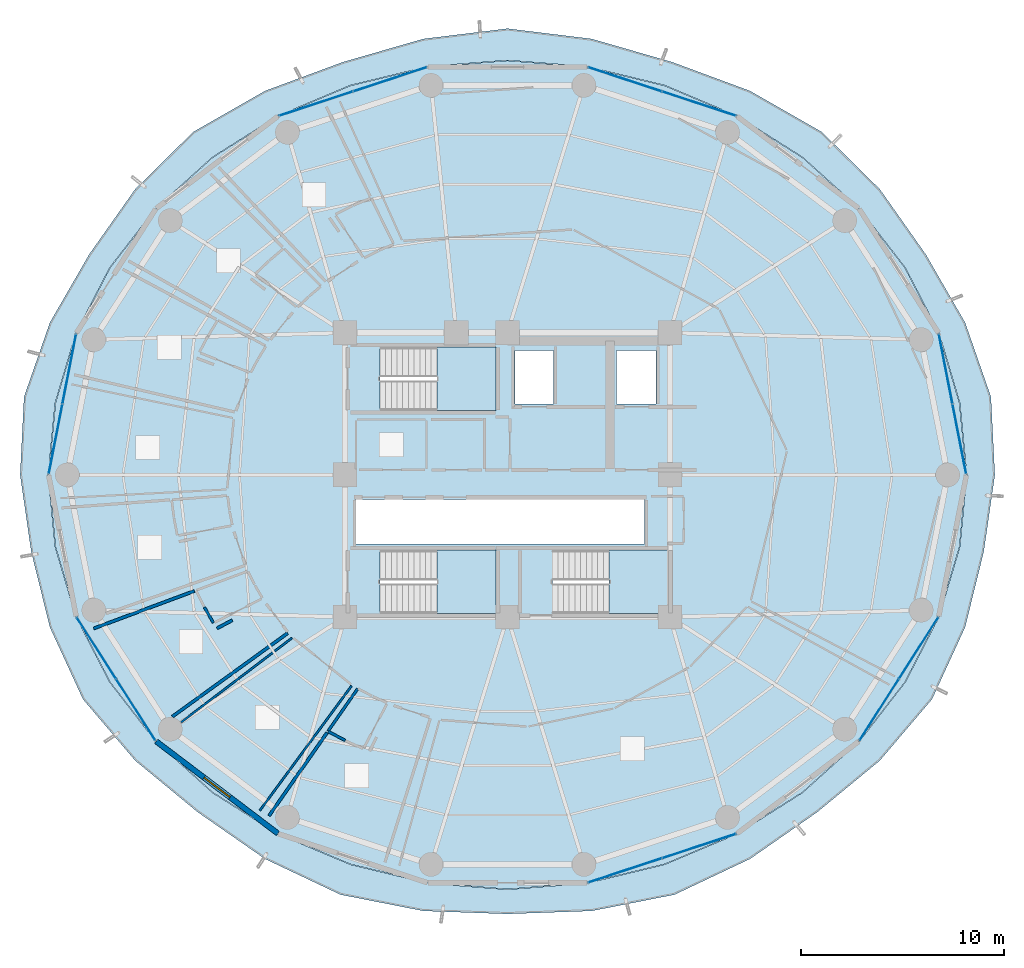
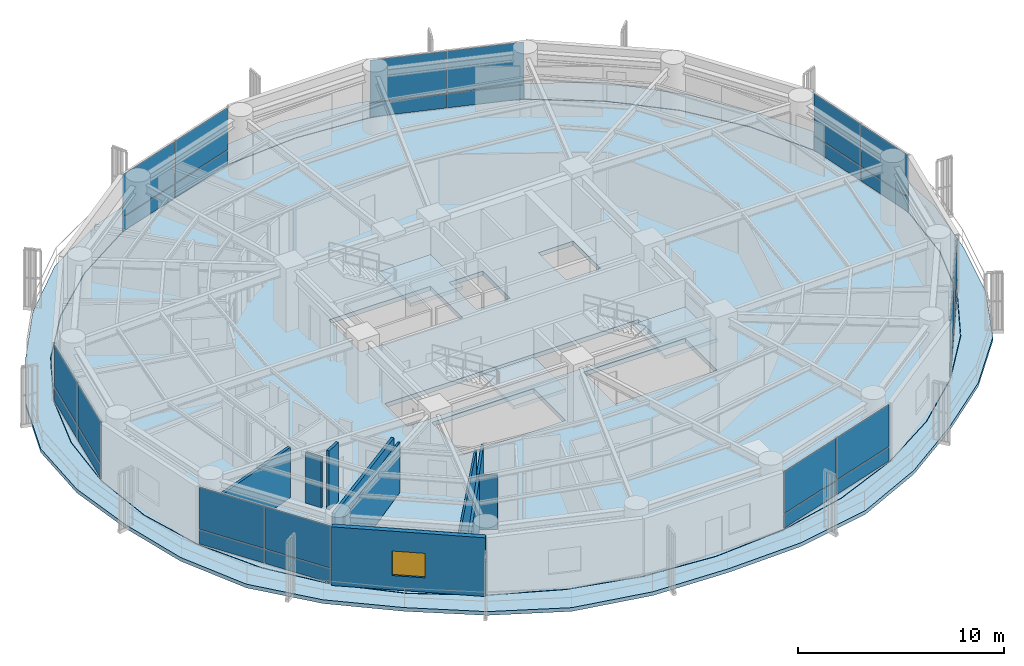
# One storey, part 20 of 29: 28 plates, 10 walls, 5 slabs, 1 window, 1 opening, 10 elements without a shape of their own.
"""IFC4 building model written with IfcOpenShell, lengths in metres."""

import ifcopenshell
import ifcopenshell.guid

model = None  # the IFC model being written
_history = None  # IfcOwnerHistory: only IFC2X3 demands one
_inside = {}  # id of a spatial element -> (the spatial element, [elements in it])
_under = {}  # id of a project, library or spatial element -> (it, [spatial elements below it])
_declared = {}  # id of a project -> (the project, [libraries it declares])
_typed = {}  # id of a type object -> (the type object, [elements of that type])
_made_of = {}  # id of a material, layer set ... -> (it, [elements and type objects made of it])


def new_model(schema):
    """Start an empty IFC model of exactly this schema.

    Asked for "IFC4X3", IfcOpenShell would pick the latest addendum, in which some entities
    have other attributes; the version numbers below select the first issue.
    IFC2X3 requires an IfcOwnerHistory on every rooted entity: one is made here for all.
    """
    global model, _history
    if schema == "IFC4X3":
        model = ifcopenshell.file(schema_version=(4, 3, 0, 0))
    else:
        model = ifcopenshell.file(schema=schema)
    _inside.clear()
    _under.clear()
    _declared.clear()
    _typed.clear()
    _made_of.clear()
    _history = None
    if model.schema == "IFC2X3":
        org = make("IfcOrganization", Name="unknown")
        user = make(
            "IfcPersonAndOrganization",
            ThePerson=make("IfcPerson", FamilyName="unknown"),
            TheOrganization=org,
        )
        app = make(
            "IfcApplication",
            ApplicationDeveloper=org,
            Version="unknown",
            ApplicationFullName="unknown",
            ApplicationIdentifier="unknown",
        )
        _history = make(
            "IfcOwnerHistory",
            OwningUser=user,
            OwningApplication=app,
            ChangeAction="ADDED",
            CreationDate=0,
        )
    return model


def make(cls, **values):
    """One entity of the class cls with the attributes given. An attribute that is None is left unset."""
    return model.create_entity(
        cls, **{name: value for name, value in values.items() if value is not None}
    )


def rooted(cls, **values):
    """An entity with a GlobalId (a new one), such as an element, a storey or a relation."""
    return make(cls, GlobalId=ifcopenshell.guid.new(), OwnerHistory=_history, **values)


def si_unit(unit_type, name, prefix=None):
    """IfcSIUnit, for example si_unit("LENGTHUNIT", "METRE", prefix="MILLI")."""
    return make("IfcSIUnit", UnitType=unit_type, Prefix=prefix, Name=name)


def assignment(units):
    """IfcUnitAssignment: the units of a project."""
    return None if units is None else make("IfcUnitAssignment", Units=units)


def point(xyz):
    """IfcCartesianPoint."""
    return None if xyz is None else make("IfcCartesianPoint", Coordinates=xyz)


def direction(xyz):
    """IfcDirection."""
    return None if xyz is None else make("IfcDirection", DirectionRatios=xyz)


def frame(location, z_axis=None, x_axis=None):
    """IfcAxis2Placement3D, a coordinate frame: its origin and axes. An axis left out is left unset."""
    return make(
        "IfcAxis2Placement3D",
        Location=point(location),
        Axis=direction(z_axis),
        RefDirection=direction(x_axis),
    )


def frame_2d(location, x_axis=None):
    """IfcAxis2Placement2D, a coordinate frame in the plane: its origin and x axis."""
    return make(
        "IfcAxis2Placement2D", Location=point(location), RefDirection=direction(x_axis)
    )


def origin():
    """The frame at (0, 0, 0) with its axes left unset."""
    return frame((0.0, 0.0, 0.0))


def origin_2d():
    """The frame at (0, 0) in the plane with its x axis left unset."""
    return frame_2d((0.0, 0.0))


def place(relative_to, where):
    """IfcLocalPlacement: puts the frame where relative to a parent placement (None: the world)."""
    return make(
        "IfcLocalPlacement", PlacementRelTo=relative_to, RelativePlacement=where
    )


def context(
    kind, dimensions, precision=None, world=None, true_north=None, identifier=None
):
    """IfcGeometricRepresentationContext, for example the 3D "Model" context."""
    return make(
        "IfcGeometricRepresentationContext",
        ContextIdentifier=identifier,
        ContextType=kind,
        CoordinateSpaceDimension=dimensions,
        Precision=precision,
        WorldCoordinateSystem=world,
        TrueNorth=true_north,
    )


def subcontext(parent, identifier, kind, view, scale=None):
    """IfcGeometricRepresentationSubContext, for example "Body" below "Model"."""
    return make(
        "IfcGeometricRepresentationSubContext",
        ContextIdentifier=identifier,
        ContextType=kind,
        ParentContext=parent,
        TargetScale=scale,
        TargetView=view,
    )


def project(units=None, contexts=None):
    """IfcProject with its units and contexts."""
    return rooted(
        "IfcProject",
        Name="project",
        RepresentationContexts=contexts,
        UnitsInContext=assignment(units),
    )


def spatial(cls, under=None, at=None, **own):
    """A site, building, storey or space (cls), placed at a placement, below another one or the project."""
    s = rooted(cls, ObjectPlacement=at, **own)
    if under is not None:
        _under.setdefault(under.id(), (under, []))[1].append(s)
    return s


def polyline(points):
    """IfcPolyline through the points."""
    return make("IfcPolyline", Points=[point(p) for p in points])


def profile(cls, at=None, kind="AREA", **sizes):
    """A parametric profile (cls). Its sizes go by their IFC names, for example OverallWidth=200.0."""
    return make(cls, ProfileType=kind, Position=at, **sizes)


def rectangle(**sizes):
    """IfcRectangleProfileDef."""
    return profile("IfcRectangleProfileDef", **sizes)


def outline(outer, holes=None, kind="AREA"):
    """IfcArbitraryClosedProfileDef: a profile drawn as a closed curve; with holes, ...WithVoids."""
    if holes is None:
        return make("IfcArbitraryClosedProfileDef", ProfileType=kind, OuterCurve=outer)
    return make(
        "IfcArbitraryProfileDefWithVoids",
        ProfileType=kind,
        OuterCurve=outer,
        InnerCurves=holes,
    )


def extrude(swept, where, along, depth):
    """IfcExtrudedAreaSolid: the profile swept, set in the frame where, extruded along a direction by depth."""
    return make(
        "IfcExtrudedAreaSolid",
        SweptArea=swept,
        Position=where,
        ExtrudedDirection=direction(along),
        Depth=depth,
    )


def shape(context_of_items, identifier, shape_type, items):
    """IfcShapeRepresentation: the items that make up one representation, for example the "Body"."""
    return make(
        "IfcShapeRepresentation",
        ContextOfItems=context_of_items,
        RepresentationIdentifier=identifier,
        RepresentationType=shape_type,
        Items=items,
    )


def source(mapping_origin, context_of_items, identifier, shape_type, items):
    """IfcRepresentationMap: a shape defined once, which mapped items show again and again."""
    return make(
        "IfcRepresentationMap",
        MappingOrigin=mapping_origin,
        MappedRepresentation=shape(context_of_items, identifier, shape_type, items),
    )


def transform(
    local_origin,
    x_axis=None,
    y_axis=None,
    z_axis=None,
    scale=None,
    scale2=None,
    scale3=None,
    uniform=True,
):
    """IfcCartesianTransformationOperator3D, or its non-uniform kind. x_axis, y_axis, z_axis: its Axis1, 2, 3."""
    if uniform:
        return make(
            "IfcCartesianTransformationOperator3D",
            Axis1=direction(x_axis),
            Axis2=direction(y_axis),
            LocalOrigin=point(local_origin),
            Scale=scale,
            Axis3=direction(z_axis),
        )
    return make(
        "IfcCartesianTransformationOperator3DnonUniform",
        Axis1=direction(x_axis),
        Axis2=direction(y_axis),
        LocalOrigin=point(local_origin),
        Scale=scale,
        Axis3=direction(z_axis),
        Scale2=scale2,
        Scale3=scale3,
    )


def mapped(mapping_source, mapping_target):
    """IfcMappedItem: shows the shape of a source again, moved by a transform."""
    return make(
        "IfcMappedItem", MappingSource=mapping_source, MappingTarget=mapping_target
    )


def material(Name=None, Category=None):
    """IfcMaterial."""
    return make("IfcMaterial", Name=Name, Category=Category)


def layer(
    of_material, thickness, ventilated=None, Name=None, Category=None, Priority=None
):
    """IfcMaterialLayer: one layer of a wall or slab, of a material (None: an air gap)."""
    return make(
        "IfcMaterialLayer",
        Material=of_material,
        LayerThickness=thickness,
        IsVentilated=ventilated,
        Name=Name,
        Category=Category,
        Priority=Priority,
    )


def layer_set(layers, Name=None):
    """IfcMaterialLayerSet."""
    return make("IfcMaterialLayerSet", MaterialLayers=layers, LayerSetName=Name)


def made_of(thing, what):
    """Note that an element or type object is made of a material, layer set ...; save() writes the relation."""
    if what is not None:
        _made_of.setdefault(what.id(), (what, []))[1].append(thing)
    return thing


def type_object(cls, material=None, **own):
    """A type object (cls), such as IfcWallType, which elements share."""
    return made_of(rooted(cls, **own), material)


def element(
    cls,
    number,
    at=None,
    inside=None,
    cuts=None,
    type_object=None,
    material=None,
    context=None,
    identifier="Body",
    shape_type=None,
    held_by="IfcProductDefinitionShape",
    body=None,
    shapes=None,
    **own,
):
    """One element of the class cls, such as IfcWall. Its Tag is "e" and its number.

    at: its placement. inside: the storey or other place that contains it. cuts: it is an
    opening in that element (IfcRelVoidsElement). A single representation is given by context,
    identifier, shape_type and body (its items); several are given by shapes. held_by: the class
    of the entity that holds the representations. save() writes the other relations.
    """
    e = rooted(cls, Tag="e%d" % number, ObjectPlacement=at, **own)
    if body is not None:
        shapes = [shape(context, identifier, shape_type, body)]
    if shapes is not None:
        e.Representation = make(held_by, Representations=shapes)
    if inside is not None:
        _inside.setdefault(inside.id(), (inside, []))[1].append(e)
    if cuts is not None:
        rooted(
            "IfcRelVoidsElement", RelatingBuildingElement=cuts, RelatedOpeningElement=e
        )
    if type_object is not None:
        _typed.setdefault(type_object.id(), (type_object, []))[1].append(e)
    return made_of(e, material)


def fill(opening, filler):
    """IfcRelFillsElement: the door or window that sits in an opening."""
    return rooted(
        "IfcRelFillsElement",
        RelatingOpeningElement=opening,
        RelatedBuildingElement=filler,
    )


def aggregate(whole, parts):
    """IfcRelAggregates: a whole, such as a stair, and the parts it consists of."""
    return rooted("IfcRelAggregates", RelatingObject=whole, RelatedObjects=parts)


def save(model, path):
    """Write the relations noted so far, then the file.

    IfcRelAggregates (storeys below a building ...), IfcRelContainedInSpatialStructure (elements
    in a storey), IfcRelDefinesByType, IfcRelAssociatesMaterial and IfcRelDeclares: one each for
    every whole, place, type object, material and project.
    """
    for whole, parts in _under.values():
        aggregate(whole, parts)
    for where, things in _inside.values():
        rooted(
            "IfcRelContainedInSpatialStructure",
            RelatedElements=things,
            RelatingStructure=where,
        )
    for kind, things in _typed.values():
        rooted("IfcRelDefinesByType", RelatedObjects=things, RelatingType=kind)
    for what, things in _made_of.values():
        rooted("IfcRelAssociatesMaterial", RelatedObjects=things, RelatingMaterial=what)
    for by, libraries in _declared.values():
        rooted("IfcRelDeclares", RelatingContext=by, RelatedDefinitions=libraries)
    model.write(path)


model = new_model("IFC4")

# Units and contexts
model_context = context("Model", 3, precision=1e-05, world=origin(), true_north=direction((0.0, 1.0)))
body_context = subcontext(model_context, "Body", "Model", "MODEL_VIEW")
ifc_project = project(units=[si_unit("LENGTHUNIT", "METRE"), si_unit("AREAUNIT", "SQUARE_METRE"), si_unit("VOLUMEUNIT", "CUBIC_METRE"), si_unit("PLANEANGLEUNIT", "RADIAN"), si_unit("MASSUNIT", "GRAM", prefix="KILO")], contexts=[model_context])

# Site, building, storey
site_placement = place(None, origin())
site = spatial("IfcSite", under=ifc_project, at=site_placement, CompositionType="ELEMENT")
building_placement = place(site_placement, origin())
building = spatial("IfcBuilding", under=site, at=building_placement, Name="Kelanora Arch Commons", CompositionType="ELEMENT")
storey_placement = place(building_placement, frame((0.0, 0.0, 135.60009765625)))
storey = spatial("IfcBuildingStorey", under=building, at=storey_placement, Name="L34", CompositionType="ELEMENT", Elevation=135.60009765625)

# Stair, slab
ifc_material_1 = material(Name="Concrete C40/50", Category="concrete")
stair_type = type_object("IfcStairType", Name="STR-DL-375", PredefinedType="HALF_TURN_STAIR", material=ifc_material_1)
stair_1_placement = place(storey_placement, origin())
stair_1 = element("IfcStair", 1, at=stair_1_placement, inside=storey, type_object=stair_type, Name="L34 ST-T1", PredefinedType="HALF_TURN_STAIR")
ifc_layer_1 = layer(ifc_material_1, 0.199951171875)
ifc_layer_set_1 = layer_set([ifc_layer_1], Name="Concrete C40/50")
slab_type_1 = type_object("IfcSlabType", Name="SLB-STAIR-LND", PredefinedType="LANDING", material=ifc_layer_set_1)
slab_1_placement = place(storey_placement, frame((0.0, 0.0, 1.6748046875)))
slab_1 = element("IfcSlab", 2, at=slab_1_placement, type_object=slab_type_1, Name="ST-T1 landing 1", PredefinedType="LANDING", context=body_context, shape_type="SweptSolid", body=[
    extrude(outline(polyline([(70.52001953125, 61.179931640625), (73.43994140625, 61.179931640625), (73.43994140625, 64.2900390625), (70.52001953125, 64.2900390625), (70.52001953125, 61.179931640625)])), origin(), (0.0, 0.0, 1.0), 0.2001953125),
])
aggregate(stair_1, [slab_1])

stair_2_placement = place(storey_placement, origin())
stair_2 = element("IfcStair", 3, at=stair_2_placement, inside=storey, type_object=stair_type, Name="L34 ST-T2", PredefinedType="HALF_TURN_STAIR")
slab_2_placement = place(storey_placement, frame((0.0, 0.0, 1.6748046875)))
slab_2 = element("IfcSlab", 4, at=slab_2_placement, type_object=slab_type_1, Name="ST-T2 landing 1", PredefinedType="LANDING", context=body_context, shape_type="SweptSolid", body=[
    extrude(outline(polyline([(79.0, 51.179931640625), (81.919921875, 51.179931640625), (81.919921875, 54.2900390625), (79.0, 54.2900390625), (79.0, 51.179931640625)])), origin(), (0.0, 0.0, 1.0), 0.2001953125),
])
aggregate(stair_2, [slab_2])

stair_3_placement = place(storey_placement, origin())
stair_3 = element("IfcStair", 5, at=stair_3_placement, inside=storey, type_object=stair_type, Name="L34 ST-T3", PredefinedType="HALF_TURN_STAIR")
slab_3_placement = place(storey_placement, frame((0.0, 0.0, 1.6748046875)))
slab_3 = element("IfcSlab", 6, at=slab_3_placement, type_object=slab_type_1, Name="ST-T3 landing 1", PredefinedType="LANDING", context=body_context, shape_type="SweptSolid", body=[
    extrude(outline(polyline([(70.52001953125, 51.179931640625), (73.43994140625, 51.179931640625), (73.43994140625, 54.2900390625), (70.52001953125, 54.2900390625), (70.52001953125, 51.179931640625)])), origin(), (0.0, 0.0, 1.0), 0.2001953125),
])
aggregate(stair_3, [slab_3])

# Slabs
ifc_layer_2 = layer(ifc_material_1, 0.260009765625)
ifc_layer_set_2 = layer_set([ifc_layer_2], Name="Concrete C40/50")
slab_type_2 = type_object("IfcSlabType", Name="SLB-TWR-TYP", PredefinedType="FLOOR", material=ifc_layer_set_2)
slab_4_placement = place(storey_placement, frame((0.0, 0.0, -0.260009765625)))
element("IfcSlab", 7, at=slab_4_placement, inside=storey, type_object=slab_type_2, Name="Tower Floor Slab L34", PredefinedType="FLOOR", context=body_context, shape_type="SweptSolid", body=[
    extrude(outline(polyline([(96.60009765625, 58.0), (96.256591796875, 61.54248046875), (95.237060546875, 64.977294921875), (93.572265625, 68.199951171875), (91.3125, 71.11279296875), (88.527099609375, 73.627197265625), (85.300048828125, 75.6669921875), (81.729736328125, 77.169677734375), (77.92431640625, 78.090087890625), (74.0, 78.39990234375), (70.07568359375, 78.090087890625), (66.270263671875, 77.169677734375), (62.699951171875, 75.6669921875), (59.472900390625, 73.627197265625), (56.6875, 71.11279296875), (54.427734375, 68.199951171875), (52.762939453125, 64.977294921875), (51.743408203125, 61.54248046875), (51.39990234375, 58.0), (51.743408203125, 54.45751953125), (52.762939453125, 51.022705078125), (54.427734375, 47.800048828125), (56.6875, 44.88720703125), (59.472900390625, 42.372802734375), (62.699951171875, 40.3330078125), (66.270263671875, 38.830322265625), (70.07568359375, 37.909912109375), (74.0, 37.60009765625), (77.92431640625, 37.909912109375), (81.729736328125, 38.830322265625), (85.300048828125, 40.3330078125), (88.527099609375, 42.372802734375), (91.3125, 44.88720703125), (93.572265625, 47.800048828125), (95.237060546875, 51.022705078125), (96.256591796875, 54.45751953125), (96.60009765625, 58.0)]), holes=[polyline([(73.431884765625, 51.18798828125), (67.72802734375, 51.18798828125), (67.72802734375, 54.281982421875), (73.431884765625, 54.281982421875), (73.431884765625, 51.18798828125)]), polyline([(76.2080078125, 51.18798828125), (76.2080078125, 54.281982421875), (81.912109375, 54.281982421875), (81.912109375, 51.18798828125), (76.2080078125, 51.18798828125)]), polyline([(66.550048828125, 54.60009765625), (66.550048828125, 56.800048828125), (80.75, 56.800048828125), (80.75, 54.60009765625), (66.550048828125, 54.60009765625)]), polyline([(73.431884765625, 61.18798828125), (67.72802734375, 61.18798828125), (67.72802734375, 64.281982421875), (73.431884765625, 64.281982421875), (73.431884765625, 61.18798828125)]), polyline([(74.3798828125, 61.47998046875), (74.3798828125, 64.1201171875), (76.260009765625, 64.1201171875), (76.260009765625, 61.47998046875), (74.3798828125, 61.47998046875)]), polyline([(79.3798828125, 61.47998046875), (79.3798828125, 64.1201171875), (81.320068359375, 64.1201171875), (81.320068359375, 61.47998046875), (79.3798828125, 61.47998046875)])]), origin(), (0.0, 0.0, 1.0), 0.260009765625),
])
ifc_layer_3 = layer(ifc_material_1, 0.219970703125)
ifc_layer_set_3 = layer_set([ifc_layer_3], Name="Concrete C40/50")
slab_type_3 = type_object("IfcSlabType", Name="SLB-WAVE-BAL", PredefinedType="FLOOR", material=ifc_layer_set_3)
slab_5_placement = place(storey_placement, frame((0.0, 0.0, -0.22021484375)))
element("IfcSlab", 8, at=slab_5_placement, inside=storey, type_object=slab_type_3, Name="Sinusoidal Wave Balcony Slab L34", PredefinedType="FLOOR", context=body_context, shape_type="SweptSolid", body=[
    extrude(outline(polyline([(98.0, 58.0), (97.807373046875, 61.84521484375), (96.535400390625, 65.500732421875), (94.599853515625, 68.857421875), (92.337890625, 72.066162109375), (89.48095703125, 74.88671875), (85.947021484375, 76.908447265625), (82.1103515625, 78.328857421875), (78.14453125, 79.47265625), (74.0, 79.97998046875), (69.85546875, 79.47265625), (65.8896484375, 78.328857421875), (62.052978515625, 76.908447265625), (58.51904296875, 74.88671875), (55.662109375, 72.066162109375), (53.400146484375, 68.857421875), (51.464599609375, 65.500732421875), (50.192626953125, 61.84521484375), (50.0, 58.0), (50.5458984375, 54.2236328125), (51.464599609375, 50.499267578125), (53.0966796875, 46.94873046875), (55.662109375, 43.933837890625), (58.736328125, 41.400146484375), (62.052978515625, 39.091552734375), (65.777099609375, 37.3291015625), (69.85546875, 36.52734375), (74.0, 36.3798828125), (78.14453125, 36.52734375), (82.222900390625, 37.3291015625), (85.947021484375, 39.091552734375), (89.263671875, 41.400146484375), (92.337890625, 43.933837890625), (94.9033203125, 46.94873046875), (96.535400390625, 50.499267578125), (97.4541015625, 54.2236328125), (98.0, 58.0)]), holes=[polyline([(96.2763671875, 54.4541015625), (95.255859375, 51.015869140625), (93.589599609375, 47.7900390625), (91.327880859375, 44.874267578125), (88.539794921875, 42.357421875), (85.31005859375, 40.31591796875), (81.736572265625, 38.8115234375), (77.927978515625, 37.89013671875), (74.0, 37.580078125), (70.072021484375, 37.89013671875), (66.263427734375, 38.8115234375), (62.68994140625, 40.31591796875), (59.460205078125, 42.357421875), (56.672119140625, 44.874267578125), (54.410400390625, 47.7900390625), (52.744140625, 51.015869140625), (51.7236328125, 54.4541015625), (51.3798828125, 58.0), (51.7236328125, 61.5458984375), (52.744140625, 64.984130859375), (54.410400390625, 68.2099609375), (56.672119140625, 71.125732421875), (59.460205078125, 73.642578125), (62.68994140625, 75.68408203125), (66.263427734375, 77.1884765625), (70.072021484375, 78.10986328125), (74.0, 78.419921875), (77.927978515625, 78.10986328125), (81.736572265625, 77.1884765625), (85.31005859375, 75.68408203125), (88.539794921875, 73.642578125), (91.327880859375, 71.125732421875), (93.589599609375, 68.2099609375), (95.255859375, 64.984130859375), (96.2763671875, 61.5458984375), (96.6201171875, 58.0), (96.2763671875, 54.4541015625)])]), origin(), (0.0, 0.0, 1.0), 0.22021484375),
])

# Curtain wall, plates
ifc_material_2 = material(Name="Terracotta ceramic-fritted low-E glass and aluminium", Category="masonry")
ifc_layer_4 = layer(ifc_material_2, 0.175048828125)
ifc_layer_set_4 = layer_set([ifc_layer_4], Name="Terracotta ceramic-fritted low-E glass and aluminium")
curtain_wall_type = type_object("IfcCurtainWallType", Name="CW-SYS-02", PredefinedType="NOTDEFINED", material=ifc_layer_set_4)
curtain_wall_1_placement = place(storey_placement, origin())
curtain_wall_1 = element("IfcCurtainWall", 9, at=curtain_wall_1_placement, inside=storey, type_object=curtain_wall_type, Name="Unitised Curtain Wall L34-B00", PredefinedType="NOTDEFINED")
ifc_material_3 = material(Name="Terracotta ceramic-fritted double glazing", Category="masonry")
ifc_layer_5 = layer(ifc_material_3, 0.028076171875)
ifc_layer_set_5 = layer_set([ifc_layer_5], Name="Terracotta ceramic-fritted double glazing")
plate_type = type_object("IfcPlateType", Name="CWP-FRIT", PredefinedType="CURTAIN_PANEL", material=ifc_layer_set_5)
shared_shape_1 = source(origin(), body_context, "Body", "SweptSolid", [
    extrude(rectangle(XDim=3.449462890625, YDim=0.028076171875, at=origin_2d()), origin(), (0.0, 0.0, 1.0), 0.81005859375),
])
plate_1_placement = place(storey_placement, frame((96.2548828125, 59.766357421875, 0.059814453125), z_axis=(0.0, 0.0, 1.0), x_axis=(-0.191705182375, 0.981452557718, 0.0)))
plate_1 = element("IfcPlate", 10, at=plate_1_placement, type_object=plate_type, Name="CW-02 panel 1.1", PredefinedType="CURTAIN_PANEL", context=body_context, shape_type="MappedRepresentation", body=[
    mapped(shared_shape_1, transform((0.0, 0.0, 0.0), scale=1.0)),
])
plate_2_placement = place(storey_placement, frame((95.58203125, 63.2109375, 0.059814453125), z_axis=(0.0, 0.0, 1.0), x_axis=(-0.191705182375, 0.981452557718, 0.0)))
plate_2 = element("IfcPlate", 11, at=plate_2_placement, type_object=plate_type, Name="CW-02 panel 2.1", PredefinedType="CURTAIN_PANEL", context=body_context, shape_type="MappedRepresentation", body=[
    mapped(shared_shape_1, transform((0.0, 0.0, 0.0), scale=1.0)),
])

curtain_wall_2_placement = place(storey_placement, origin())
curtain_wall_2 = element("IfcCurtainWall", 12, at=curtain_wall_2_placement, inside=storey, type_object=curtain_wall_type, Name="Unitised Curtain Wall L34-B08", PredefinedType="NOTDEFINED")
plate_3_placement = place(storey_placement, frame((52.41796875, 63.2109375, 0.059814453125), z_axis=(0.0, 0.0, 1.0), x_axis=(-0.191705182375, -0.981452557718, 0.0)))
plate_3 = element("IfcPlate", 13, at=plate_3_placement, type_object=plate_type, Name="CW-02 panel 1.1", PredefinedType="CURTAIN_PANEL", context=body_context, shape_type="MappedRepresentation", body=[
    mapped(shared_shape_1, transform((0.0, 0.0, 0.0), scale=1.0)),
])
plate_4_placement = place(storey_placement, frame((51.7451171875, 59.766357421875, 0.059814453125), z_axis=(0.0, 0.0, 1.0), x_axis=(-0.191705182375, -0.981452557718, 0.0)))
plate_4 = element("IfcPlate", 14, at=plate_4_placement, type_object=plate_type, Name="CW-02 panel 2.1", PredefinedType="CURTAIN_PANEL", context=body_context, shape_type="MappedRepresentation", body=[
    mapped(shared_shape_1, transform((0.0, 0.0, 0.0), scale=1.0)),
])

# Plate
shared_shape_2 = source(origin(), body_context, "Body", "SweptSolid", [
    extrude(rectangle(XDim=3.449462890625, YDim=0.028076171875, at=origin_2d()), origin(), (0.0, 0.0, 1.0), 2.485107421875),
])
plate_5_placement = place(storey_placement, frame((96.2548828125, 59.766357421875, 0.9296875), z_axis=(0.0, 0.0, 1.0), x_axis=(-0.191705182375, 0.981452557718, 0.0)))
plate_5 = element("IfcPlate", 15, at=plate_5_placement, type_object=plate_type, Name="CW-02 panel 1.2", PredefinedType="CURTAIN_PANEL", context=body_context, shape_type="MappedRepresentation", body=[
    mapped(shared_shape_2, transform((0.0, 0.0, 0.0), scale=1.0)),
])

plate_6_placement = place(storey_placement, frame((95.58203125, 63.2109375, 0.9296875), z_axis=(0.0, 0.0, 1.0), x_axis=(-0.191705182375, 0.981452557718, 0.0)))
plate_6 = element("IfcPlate", 16, at=plate_6_placement, type_object=plate_type, Name="CW-02 panel 2.2", PredefinedType="CURTAIN_PANEL", context=body_context, shape_type="MappedRepresentation", body=[
    mapped(shared_shape_2, transform((0.0, 0.0, 0.0), scale=1.0)),
])

aggregate(curtain_wall_1, [plate_1, plate_5, plate_2, plate_6])

plate_7_placement = place(storey_placement, frame((52.41796875, 63.2109375, 0.9296875), z_axis=(0.0, 0.0, 1.0), x_axis=(-0.191705182375, -0.981452557718, 0.0)))
plate_7 = element("IfcPlate", 17, at=plate_7_placement, type_object=plate_type, Name="CW-02 panel 1.2", PredefinedType="CURTAIN_PANEL", context=body_context, shape_type="MappedRepresentation", body=[
    mapped(shared_shape_2, transform((0.0, 0.0, 0.0), scale=1.0)),
])

plate_8_placement = place(storey_placement, frame((51.7451171875, 59.766357421875, 0.9296875), z_axis=(0.0, 0.0, 1.0), x_axis=(-0.191705182375, -0.981452557718, 0.0)))
plate_8 = element("IfcPlate", 18, at=plate_8_placement, type_object=plate_type, Name="CW-02 panel 2.2", PredefinedType="CURTAIN_PANEL", context=body_context, shape_type="MappedRepresentation", body=[
    mapped(shared_shape_2, transform((0.0, 0.0, 0.0), scale=1.0)),
])

aggregate(curtain_wall_2, [plate_3, plate_7, plate_4, plate_8])

# Curtain wall, plates
curtain_wall_3_placement = place(storey_placement, origin())
curtain_wall_3 = element("IfcCurtainWall", 19, at=curtain_wall_3_placement, inside=storey, type_object=curtain_wall_type, Name="Unitised Curtain Wall L34-B03", PredefinedType="NOTDEFINED")
shared_shape_3 = source(origin(), body_context, "Body", "SweptSolid", [
    extrude(rectangle(XDim=3.776611328125, YDim=0.028076171875, at=origin_2d()), origin(), (0.0, 0.0, 1.0), 0.81005859375),
])
plate_9_placement = place(storey_placement, frame((83.434814453125, 76.27978515625, 0.059814453125), z_axis=(0.0, 0.0, 1.0), x_axis=(-0.95003996605, 0.312128279571, 0.0)))
plate_9 = element("IfcPlate", 20, at=plate_9_placement, type_object=plate_type, Name="CW-02 panel 1.1", PredefinedType="CURTAIN_PANEL", context=body_context, shape_type="MappedRepresentation", body=[
    mapped(shared_shape_3, transform((0.0, 0.0, 0.0), scale=1.0)),
])
plate_10_placement = place(storey_placement, frame((79.789794921875, 77.477294921875, 0.059814453125), z_axis=(0.0, 0.0, 1.0), x_axis=(-0.95003996605, 0.312128279571, 0.0)))
plate_10 = element("IfcPlate", 21, at=plate_10_placement, type_object=plate_type, Name="CW-02 panel 2.1", PredefinedType="CURTAIN_PANEL", context=body_context, shape_type="MappedRepresentation", body=[
    mapped(shared_shape_3, transform((0.0, 0.0, 0.0), scale=1.0)),
])

curtain_wall_4_placement = place(storey_placement, origin())
curtain_wall_4 = element("IfcCurtainWall", 22, at=curtain_wall_4_placement, inside=storey, type_object=curtain_wall_type, Name="Unitised Curtain Wall L34-B05", PredefinedType="NOTDEFINED")
plate_11_placement = place(storey_placement, frame((68.210205078125, 77.477294921875, 0.059814453125), z_axis=(0.0, 0.0, 1.0), x_axis=(-0.95003996605, -0.312128279571, 0.0)))
plate_11 = element("IfcPlate", 23, at=plate_11_placement, type_object=plate_type, Name="CW-02 panel 1.1", PredefinedType="CURTAIN_PANEL", context=body_context, shape_type="MappedRepresentation", body=[
    mapped(shared_shape_3, transform((0.0, 0.0, 0.0), scale=1.0)),
])
plate_12_placement = place(storey_placement, frame((64.565185546875, 76.27978515625, 0.059814453125), z_axis=(0.0, 0.0, 1.0), x_axis=(-0.95003996605, -0.312128279571, 0.0)))
plate_12 = element("IfcPlate", 24, at=plate_12_placement, type_object=plate_type, Name="CW-02 panel 2.1", PredefinedType="CURTAIN_PANEL", context=body_context, shape_type="MappedRepresentation", body=[
    mapped(shared_shape_3, transform((0.0, 0.0, 0.0), scale=1.0)),
])

curtain_wall_5_placement = place(storey_placement, origin())
curtain_wall_5 = element("IfcCurtainWall", 25, at=curtain_wall_5_placement, inside=storey, type_object=curtain_wall_type, Name="Unitised Curtain Wall L34-B14", PredefinedType="NOTDEFINED")
plate_13_placement = place(storey_placement, frame((79.789794921875, 38.522705078125, 0.059814453125), z_axis=(0.0, 0.0, 1.0), x_axis=(0.95003996605, 0.312128279571, 0.0)))
plate_13 = element("IfcPlate", 26, at=plate_13_placement, type_object=plate_type, Name="CW-02 panel 1.1", PredefinedType="CURTAIN_PANEL", context=body_context, shape_type="MappedRepresentation", body=[
    mapped(shared_shape_3, transform((0.0, 0.0, 0.0), scale=1.0)),
])
plate_14_placement = place(storey_placement, frame((83.434814453125, 39.72021484375, 0.059814453125), z_axis=(0.0, 0.0, 1.0), x_axis=(0.95003996605, 0.312128279571, 0.0)))
plate_14 = element("IfcPlate", 27, at=plate_14_placement, type_object=plate_type, Name="CW-02 panel 2.1", PredefinedType="CURTAIN_PANEL", context=body_context, shape_type="MappedRepresentation", body=[
    mapped(shared_shape_3, transform((0.0, 0.0, 0.0), scale=1.0)),
])

# Plate
shared_shape_4 = source(origin(), body_context, "Body", "SweptSolid", [
    extrude(rectangle(XDim=3.776611328125, YDim=0.028076171875, at=origin_2d()), origin(), (0.0, 0.0, 1.0), 2.485107421875),
])
plate_15_placement = place(storey_placement, frame((83.434814453125, 76.27978515625, 0.9296875), z_axis=(0.0, 0.0, 1.0), x_axis=(-0.95003996605, 0.312128279571, 0.0)))
plate_15 = element("IfcPlate", 28, at=plate_15_placement, type_object=plate_type, Name="CW-02 panel 1.2", PredefinedType="CURTAIN_PANEL", context=body_context, shape_type="MappedRepresentation", body=[
    mapped(shared_shape_4, transform((0.0, 0.0, 0.0), scale=1.0)),
])

plate_16_placement = place(storey_placement, frame((79.789794921875, 77.477294921875, 0.9296875), z_axis=(0.0, 0.0, 1.0), x_axis=(-0.95003996605, 0.312128279571, 0.0)))
plate_16 = element("IfcPlate", 29, at=plate_16_placement, type_object=plate_type, Name="CW-02 panel 2.2", PredefinedType="CURTAIN_PANEL", context=body_context, shape_type="MappedRepresentation", body=[
    mapped(shared_shape_4, transform((0.0, 0.0, 0.0), scale=1.0)),
])

aggregate(curtain_wall_3, [plate_9, plate_15, plate_10, plate_16])

plate_17_placement = place(storey_placement, frame((68.210205078125, 77.477294921875, 0.9296875), z_axis=(0.0, 0.0, 1.0), x_axis=(-0.95003996605, -0.312128279571, 0.0)))
plate_17 = element("IfcPlate", 30, at=plate_17_placement, type_object=plate_type, Name="CW-02 panel 1.2", PredefinedType="CURTAIN_PANEL", context=body_context, shape_type="MappedRepresentation", body=[
    mapped(shared_shape_4, transform((0.0, 0.0, 0.0), scale=1.0)),
])

plate_18_placement = place(storey_placement, frame((64.565185546875, 76.27978515625, 0.9296875), z_axis=(0.0, 0.0, 1.0), x_axis=(-0.95003996605, -0.312128279571, 0.0)))
plate_18 = element("IfcPlate", 31, at=plate_18_placement, type_object=plate_type, Name="CW-02 panel 2.2", PredefinedType="CURTAIN_PANEL", context=body_context, shape_type="MappedRepresentation", body=[
    mapped(shared_shape_4, transform((0.0, 0.0, 0.0), scale=1.0)),
])

aggregate(curtain_wall_4, [plate_11, plate_17, plate_12, plate_18])

plate_19_placement = place(storey_placement, frame((79.789794921875, 38.522705078125, 0.9296875), z_axis=(0.0, 0.0, 1.0), x_axis=(0.95003996605, 0.312128279571, 0.0)))
plate_19 = element("IfcPlate", 32, at=plate_19_placement, type_object=plate_type, Name="CW-02 panel 1.2", PredefinedType="CURTAIN_PANEL", context=body_context, shape_type="MappedRepresentation", body=[
    mapped(shared_shape_4, transform((0.0, 0.0, 0.0), scale=1.0)),
])

plate_20_placement = place(storey_placement, frame((83.434814453125, 39.72021484375, 0.9296875), z_axis=(0.0, 0.0, 1.0), x_axis=(0.95003996605, 0.312128279571, 0.0)))
plate_20 = element("IfcPlate", 33, at=plate_20_placement, type_object=plate_type, Name="CW-02 panel 2.2", PredefinedType="CURTAIN_PANEL", context=body_context, shape_type="MappedRepresentation", body=[
    mapped(shared_shape_4, transform((0.0, 0.0, 0.0), scale=1.0)),
])

aggregate(curtain_wall_5, [plate_13, plate_19, plate_14, plate_20])

# Curtain wall, plates
curtain_wall_6_placement = place(storey_placement, origin())
curtain_wall_6 = element("IfcCurtainWall", 34, at=curtain_wall_6_placement, inside=storey, type_object=curtain_wall_type, Name="Unitised Curtain Wall L34-B10", PredefinedType="NOTDEFINED")
shared_shape_5 = source(origin(), body_context, "Body", "SweptSolid", [
    extrude(rectangle(XDim=3.53662109375, YDim=0.028076171875, at=origin_2d()), origin(), (0.0, 0.0, 1.0), 0.81005859375),
])
plate_21_placement = place(storey_placement, frame((53.756103515625, 49.469970703125, 0.059814453125), z_axis=(0.0, 0.0, 1.0), x_axis=(0.538816988983, -0.842422846546, 0.0)))
plate_21 = element("IfcPlate", 35, at=plate_21_placement, type_object=plate_type, Name="CW-02 panel 1.1", PredefinedType="CURTAIN_PANEL", context=body_context, shape_type="MappedRepresentation", body=[
    mapped(shared_shape_5, transform((0.0, 0.0, 0.0), scale=1.0)),
])
plate_22_placement = place(storey_placement, frame((55.694091796875, 46.43994140625, 0.059814453125), z_axis=(0.0, 0.0, 1.0), x_axis=(0.538816988983, -0.842422846546, 0.0)))
plate_22 = element("IfcPlate", 36, at=plate_22_placement, type_object=plate_type, Name="CW-02 panel 2.1", PredefinedType="CURTAIN_PANEL", context=body_context, shape_type="MappedRepresentation", body=[
    mapped(shared_shape_5, transform((0.0, 0.0, 0.0), scale=1.0)),
])

curtain_wall_7_placement = place(storey_placement, origin())
curtain_wall_7 = element("IfcCurtainWall", 37, at=curtain_wall_7_placement, inside=storey, type_object=curtain_wall_type, Name="Unitised Curtain Wall L34-B16", PredefinedType="NOTDEFINED")
plate_23_placement = place(storey_placement, frame((92.305908203125, 46.43994140625, 0.059814453125), z_axis=(0.0, 0.0, 1.0), x_axis=(0.538816988983, 0.842422846546, 0.0)))
plate_23 = element("IfcPlate", 38, at=plate_23_placement, type_object=plate_type, Name="CW-02 panel 1.1", PredefinedType="CURTAIN_PANEL", context=body_context, shape_type="MappedRepresentation", body=[
    mapped(shared_shape_5, transform((0.0, 0.0, 0.0), scale=1.0)),
])
plate_24_placement = place(storey_placement, frame((94.243896484375, 49.469970703125, 0.059814453125), z_axis=(0.0, 0.0, 1.0), x_axis=(0.538816988983, 0.842422846546, 0.0)))
plate_24 = element("IfcPlate", 39, at=plate_24_placement, type_object=plate_type, Name="CW-02 panel 2.1", PredefinedType="CURTAIN_PANEL", context=body_context, shape_type="MappedRepresentation", body=[
    mapped(shared_shape_5, transform((0.0, 0.0, 0.0), scale=1.0)),
])

# Plate
shared_shape_6 = source(origin(), body_context, "Body", "SweptSolid", [
    extrude(rectangle(XDim=3.53662109375, YDim=0.028076171875, at=origin_2d()), origin(), (0.0, 0.0, 1.0), 2.485107421875),
])
plate_25_placement = place(storey_placement, frame((53.756103515625, 49.469970703125, 0.9296875), z_axis=(0.0, 0.0, 1.0), x_axis=(0.538816988983, -0.842422846546, 0.0)))
plate_25 = element("IfcPlate", 40, at=plate_25_placement, type_object=plate_type, Name="CW-02 panel 1.2", PredefinedType="CURTAIN_PANEL", context=body_context, shape_type="MappedRepresentation", body=[
    mapped(shared_shape_6, transform((0.0, 0.0, 0.0), scale=1.0)),
])

plate_26_placement = place(storey_placement, frame((55.694091796875, 46.43994140625, 0.9296875), z_axis=(0.0, 0.0, 1.0), x_axis=(0.538816988983, -0.842422846546, 0.0)))
plate_26 = element("IfcPlate", 41, at=plate_26_placement, type_object=plate_type, Name="CW-02 panel 2.2", PredefinedType="CURTAIN_PANEL", context=body_context, shape_type="MappedRepresentation", body=[
    mapped(shared_shape_6, transform((0.0, 0.0, 0.0), scale=1.0)),
])

aggregate(curtain_wall_6, [plate_21, plate_25, plate_22, plate_26])

plate_27_placement = place(storey_placement, frame((92.305908203125, 46.43994140625, 0.9296875), z_axis=(0.0, 0.0, 1.0), x_axis=(0.538816988983, 0.842422846546, 0.0)))
plate_27 = element("IfcPlate", 42, at=plate_27_placement, type_object=plate_type, Name="CW-02 panel 1.2", PredefinedType="CURTAIN_PANEL", context=body_context, shape_type="MappedRepresentation", body=[
    mapped(shared_shape_6, transform((0.0, 0.0, 0.0), scale=1.0)),
])

plate_28_placement = place(storey_placement, frame((94.243896484375, 49.469970703125, 0.9296875), z_axis=(0.0, 0.0, 1.0), x_axis=(0.538816988983, 0.842422846546, 0.0)))
plate_28 = element("IfcPlate", 43, at=plate_28_placement, type_object=plate_type, Name="CW-02 panel 2.2", PredefinedType="CURTAIN_PANEL", context=body_context, shape_type="MappedRepresentation", body=[
    mapped(shared_shape_6, transform((0.0, 0.0, 0.0), scale=1.0)),
])

aggregate(curtain_wall_7, [plate_23, plate_27, plate_24, plate_28])

# Walls
ifc_material_4 = material(Name="Autoclaved aerated concrete blockwork with fire plaster", Category="masonry")
ifc_layer_6 = layer(ifc_material_4, 0.14990234375)
ifc_layer_set_6 = layer_set([ifc_layer_6], Name="Autoclaved aerated concrete blockwork with fire plaster")
wall_type_1 = type_object("IfcWallType", Name="W-COMP-150", PredefinedType="PARTITIONING", material=ifc_layer_set_6)
wall_1_placement = place(storey_placement, frame((63.174560546875, 50.20458984375, 0.0), z_axis=(0.0, 0.0, 1.0), x_axis=(-0.810227225477, -0.586115895618, 0.0)))
element("IfcWall", 44, at=wall_1_placement, inside=storey, type_object=wall_type_1, Name="Cluster Bedroom L34-06 Enclosure Partition 2", PredefinedType="PARTITIONING", context=body_context, shape_type="SweptSolid", body=[
    extrude(rectangle(XDim=7.01123046875, YDim=0.14990234375, at=frame_2d((3.505615234375, 0.0))), origin(), (0.0, 0.0, 1.0), 3.1748046875),
])
wall_2_placement = place(storey_placement, frame((53.62353515625, 50.43798828125, 0.0), z_axis=(0.0, 0.0, 1.0), x_axis=(0.937175901168, 0.348857177468, 0.0)))
element("IfcWall", 45, at=wall_2_placement, inside=storey, type_object=wall_type_1, Name="Cluster Bedroom L34-06 Enclosure Partition 5", PredefinedType="PARTITIONING", context=body_context, shape_type="SweptSolid", body=[
    extrude(rectangle(XDim=5.29150390625, YDim=0.14990234375, at=frame_2d((2.645751953125, 0.0))), origin(), (0.0, 0.0, 1.0), 2.974853515625),
])
wall_3_placement = place(storey_placement, frame((59.690185546875, 50.441650390625, 0.0), z_axis=(0.0, 0.0, 1.0), x_axis=(0.883456769574, 0.468512685308, 0.0)))
element("IfcWall", 46, at=wall_3_placement, inside=storey, type_object=wall_type_1, Name="Cluster Bedroom L34-06 Enclosure Partition 7", PredefinedType="PARTITIONING", context=body_context, shape_type="SweptSolid", body=[
    extrude(rectangle(XDim=0.861328125, YDim=0.14990234375, at=frame_2d((0.4306640625, 0.0))), origin(), (0.0, 0.0, 1.0), 3.47998046875),
])
wall_4_placement = place(storey_placement, frame((62.2568359375, 41.210693359375, 0.0), z_axis=(0.0, 0.0, 1.0), x_axis=(0.572125752908, 0.820165911789, 0.0)))
element("IfcWall", 47, at=wall_4_placement, inside=storey, type_object=wall_type_1, Name="Cluster Bedroom L34-08 Enclosure Partition 5", PredefinedType="PARTITIONING", context=body_context, shape_type="SweptSolid", body=[
    extrude(rectangle(XDim=4.9921875, YDim=0.14990234375, at=frame_2d((2.49609375, 0.0))), origin(), (0.0, 0.0, 1.0), 2.974853515625),
])

# Wall, opening, window
ifc_material_5 = material(Name="Precast concrete C40/50 with terracotta rainscreen", Category="masonry")
ifc_layer_7 = layer(ifc_material_5, 0.260009765625)
ifc_layer_set_7 = layer_set([ifc_layer_7], Name="Precast concrete C40/50 with terracotta rainscreen")
wall_type_2 = type_object("IfcWallType", Name="W-EXT-TC", PredefinedType="SOLIDWALL", material=ifc_layer_set_7)
wall_5_placement = place(storey_placement, frame((56.699462890625, 44.8779296875, 0.0), z_axis=(0.0, 0.0, 1.0), x_axis=(0.797163719609, -0.603763202042, 0.0)))
wall_5 = element("IfcWall", 48, at=wall_5_placement, inside=storey, type_object=wall_type_2, Name="Terracotta Exterior Wall L34-B11", PredefinedType="SOLIDWALL", context=body_context, shape_type="SweptSolid", body=[
    extrude(rectangle(XDim=7.51220703125, YDim=0.260009765625, at=frame_2d((3.756103515625, 0.0))), origin(), (0.0, 0.0, 1.0), 3.474853515625),
])
opening_placement = place(wall_5_placement, frame((2.9560546875, 0.0, 0.85009765625)))
opening = element("IfcOpeningElement", 49, at=opening_placement, cuts=wall_5, Name="Opening WN-01", PredefinedType="OPENING", context=body_context, shape_type="SweptSolid", body=[
    extrude(rectangle(XDim=1.60009765625, YDim=1.449951171875, at=frame_2d((0.800048828125, 0.72509765625))), frame((0.0, 0.14013671875, 0.0), z_axis=(0.0, -1.0, 0.0), x_axis=(1.0, 0.0, 0.0)), (0.0, 0.0, 1.0), 0.280029296875),
])
ifc_material_6 = material(Name="Terracotta-anodised aluminium frame with operable low-E glazing", Category="masonry")
window_type = type_object("IfcWindowType", Name="WIN-CL-18", PartitioningType="DOUBLE_PANEL_VERTICAL", PredefinedType="WINDOW", material=ifc_material_6)
window_placement = place(opening_placement, origin())
window = element("IfcWindow", 50, at=window_placement, inside=storey, type_object=window_type, Name="Co-Living Operable Window L34-B11", OverallHeight=1.449951171875, OverallWidth=1.60009765625, PartitioningType="SINGLE_PANEL", PredefinedType="WINDOW", context=body_context, shape_type="SweptSolid", body=[
    extrude(rectangle(XDim=1.60009765625, YDim=1.449951171875, at=frame_2d((0.800048828125, 0.72509765625))), frame((0.0, 0.030029296875, 0.0), z_axis=(0.0, -1.0, 0.0), x_axis=(1.0, 0.0, 0.0)), (0.0, 0.0, 1.0), 0.06005859375),
])
fill(opening, window)

# Walls
ifc_material_7 = material(Name="Lightweight fire-rated acoustic stud partition")
ifc_layer_8 = layer(ifc_material_7, 0.10009765625)
ifc_layer_set_8 = layer_set([ifc_layer_8], Name="Lightweight fire-rated acoustic stud partition")
wall_type_3 = type_object("IfcWallType", Name="W-PART-100", PredefinedType="PARTITIONING", material=ifc_layer_set_8)
wall_6_placement = place(storey_placement, frame((66.3232421875, 47.61474609375, 0.0), z_axis=(0.0, 0.0, 1.0), x_axis=(-0.592678959784, -0.805438793845, 0.0)))
element("IfcWall", 51, at=wall_6_placement, inside=storey, type_object=wall_type_3, Name="Social Sky Lounge L34-07 Enclosure Partition 2", PredefinedType="PARTITIONING", context=body_context, shape_type="SweptSolid", body=[
    extrude(rectangle(XDim=7.6240234375, YDim=0.10009765625, at=frame_2d((3.81201171875, 0.0))), origin(), (0.0, 0.0, 1.0), 2.974853515625),
])
wall_7_placement = place(storey_placement, frame((57.92138671875, 45.811279296875, 0.0), z_axis=(0.0, 0.0, 1.0), x_axis=(0.79595600815, 0.60535446896, 0.0)))
element("IfcWall", 52, at=wall_7_placement, inside=storey, type_object=wall_type_3, Name="Social Sky Lounge L34-07 Enclosure Partition 4", PredefinedType="PARTITIONING", context=body_context, shape_type="SweptSolid", body=[
    extrude(rectangle(XDim=6.869384765625, YDim=0.10009765625, at=frame_2d((3.4345703125, 0.0))), origin(), (0.0, 0.0, 1.0), 2.974853515625),
])
ifc_material_8 = material(Name="Moisture-resistant fire-rated cement-board plumbing wall")
ifc_layer_9 = layer(ifc_material_8, 0.1298828125)
ifc_layer_set_9 = layer_set([ifc_layer_9], Name="Moisture-resistant fire-rated cement-board plumbing wall")
wall_type_4 = type_object("IfcWallType", Name="W-WET-120", PredefinedType="PLUMBINGWALL", material=ifc_layer_set_9)
wall_8_placement = place(storey_placement, frame((59.513916015625, 50.72021484375, 0.0), z_axis=(0.0, 0.0, 1.0), x_axis=(-0.501222652689, 0.865318353227, 0.0)))
element("IfcWall", 53, at=wall_8_placement, inside=storey, type_object=wall_type_4, Name="En-Suite Shower WC L34-06 Enclosure Partition 4", PredefinedType="PLUMBINGWALL", context=body_context, shape_type="SweptSolid", body=[
    extrude(rectangle(XDim=0.877685546875, YDim=0.1298828125, at=frame_2d((0.43896484375, 0.0))), origin(), (0.0, 0.0, 1.0), 2.974853515625),
])
wall_9_placement = place(storey_placement, frame((65.996337890625, 44.927490234375, 0.0), z_axis=(0.0, 0.0, 1.0), x_axis=(-0.88373041627, 0.46799631554, 0.0)))
element("IfcWall", 54, at=wall_9_placement, inside=storey, type_object=wall_type_4, Name="En-Suite Shower WC L34-08 Enclosure Partition 5", PredefinedType="PLUMBINGWALL", context=body_context, shape_type="SweptSolid", body=[
    extrude(rectangle(XDim=0.9296875, YDim=0.1298828125, at=frame_2d((0.46484375, 0.0))), origin(), (0.0, 0.0, 1.0), 3.1748046875),
])
wall_10_placement = place(storey_placement, frame((65.16845703125, 45.388427734375, 0.0), z_axis=(0.0, 0.0, 1.0), x_axis=(0.572452908282, 0.819937599943, 0.0)))
element("IfcWall", 55, at=wall_10_placement, inside=storey, type_object=wall_type_4, Name="En-Suite Shower WC L34-08 Enclosure Partition 6", PredefinedType="PLUMBINGWALL", context=body_context, shape_type="SweptSolid", body=[
    extrude(rectangle(XDim=2.533203125, YDim=0.1298828125, at=frame_2d((1.2666015625, 0.0))), origin(), (0.0, 0.0, 1.0), 3.23486328125),
])

save(model, "model.ifc")
